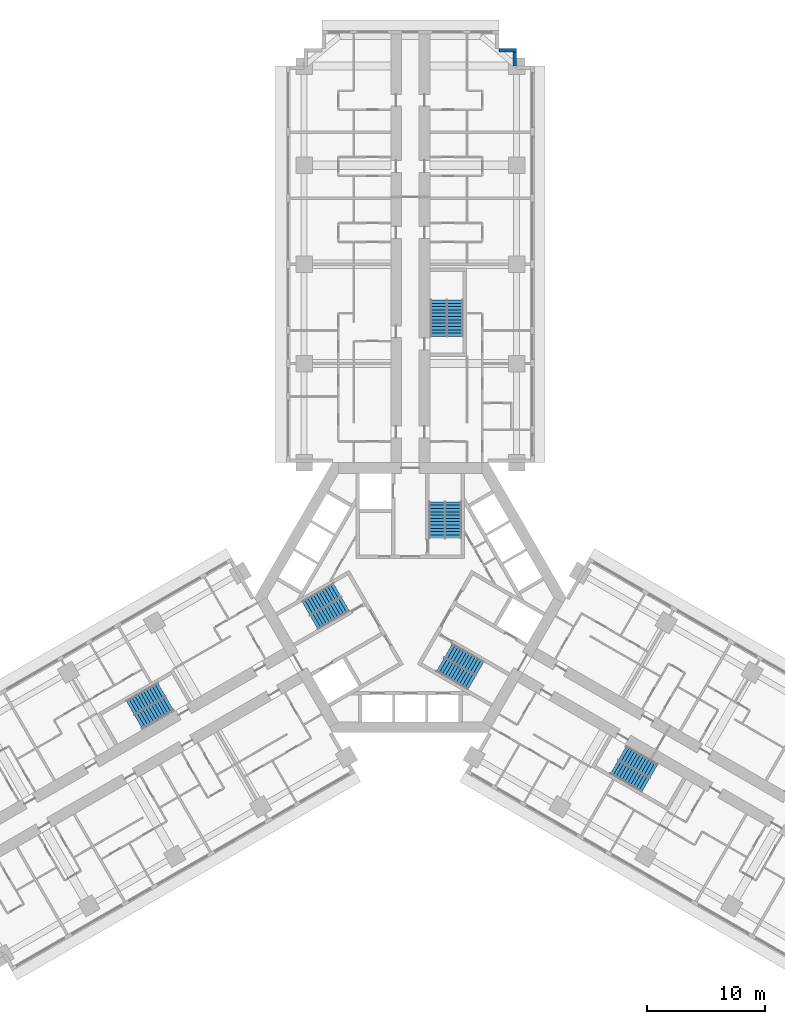
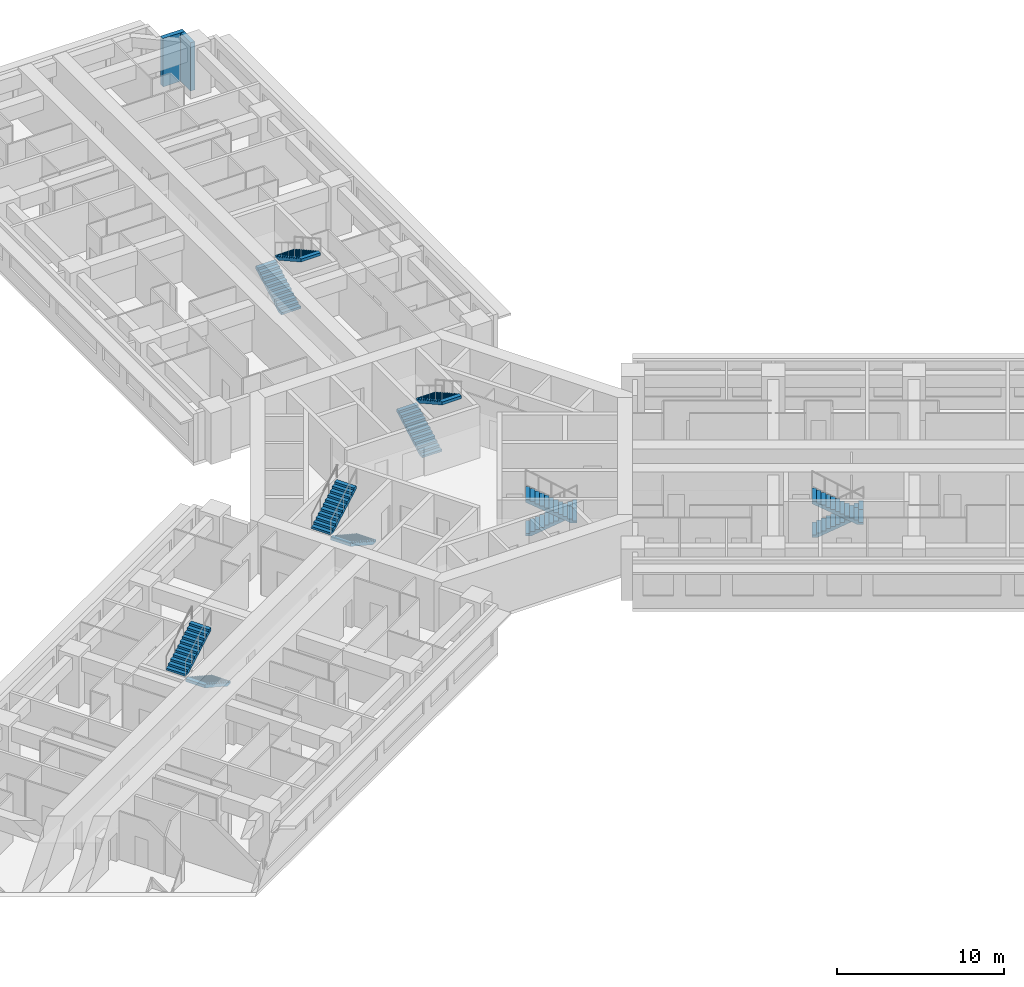
# One storey, part 15 of 16: 12 stair flights, 2 walls, 6 elements without a shape of their own.
"""IFC4 building model written with IfcOpenShell, lengths in metres."""

from ifc_helpers import new_model, si_unit, direction, frame, frame_2d, origin, place, context, subcontext, project, spatial, polyline, rectangle, outline, extrude, material, layer, layer_set, type_object, element, aggregate, save


model = new_model("IFC4")

# Units and contexts
model_context = context("Model", 3, precision=1e-05, world=origin(), true_north=direction((0.0, 1.0)))
body_context = subcontext(model_context, "Body", "Model", "MODEL_VIEW")
ifc_project = project(units=[si_unit("LENGTHUNIT", "METRE"), si_unit("AREAUNIT", "SQUARE_METRE"), si_unit("VOLUMEUNIT", "CUBIC_METRE"), si_unit("PLANEANGLEUNIT", "RADIAN"), si_unit("MASSUNIT", "GRAM", prefix="KILO")], contexts=[model_context])

# Site, building, storey
site_placement = place(None, origin())
site = spatial("IfcSite", under=ifc_project, at=site_placement, CompositionType="ELEMENT")
building_placement = place(site_placement, origin())
building = spatial("IfcBuilding", under=site, at=building_placement, Name="Impinga Residences", CompositionType="ELEMENT")
storey_placement = place(building_placement, frame((0.0, 0.0, 52.25)))
storey = spatial("IfcBuildingStorey", under=building, at=storey_placement, Name="L12", CompositionType="ELEMENT", Elevation=52.25)

# Walls
ifc_material_1 = material(Name="Terracotta rainscreen on blockwork", Category="masonry")
ifc_layer = layer(ifc_material_1, 0.300048828125)
ifc_layer_set = layer_set([ifc_layer], Name="EW1 external wall, terracotta rainscreen on blockwork 300")
wall_type = type_object("IfcWallType", Name="EW1 external wall, terracotta rainscreen on blockwork 300", PredefinedType="SOLIDWALL", material=ifc_layer_set)
wall_1_placement = place(storey_placement, frame((7.5, 46.381591796875, 0.0), z_axis=(0.0, 0.0, 1.0), x_axis=(1.0, 0.0, 0.0)))
element("IfcWall", 1, at=wall_1_placement, inside=storey, type_object=wall_type, Name="External wall EW1 L12", PredefinedType="SOLIDWALL", context=body_context, shape_type="SweptSolid", body=[
    extrude(rectangle(XDim=1.5, YDim=0.300048828125, at=frame_2d((0.75, 0.0))), origin(), (0.0, 0.0, 1.0), 3.530029296875),
])
wall_2_placement = place(storey_placement, frame((8.85009765625, 46.2314453125, 0.0), z_axis=(0.0, 0.0, 1.0), x_axis=(0.0, -1.0, 0.0)))
element("IfcWall", 2, at=wall_2_placement, inside=storey, type_object=wall_type, Name="External wall EW1 L12", PredefinedType="SOLIDWALL", context=body_context, shape_type="SweptSolid", body=[
    extrude(rectangle(XDim=1.199951171875, YDim=0.300048828125, at=frame_2d((0.60009765625, 0.0))), origin(), (0.0, 0.0, 1.0), 3.530029296875),
])

# Stair, stair flights
ifc_material_2 = material(Name="Concrete C40/50", Category="concrete")
stair_type_1 = type_object("IfcStairType", Name="STR core stair 3750 storey, 24 risers", PredefinedType="HALF_TURN_STAIR", material=ifc_material_2)
stair_1_placement = place(storey_placement, origin())
stair_1 = element("IfcStair", 3, at=stair_1_placement, inside=storey, type_object=stair_type_1, Name="Stair ST1 L12", PredefinedType="HALF_TURN_STAIR")
stair_flight_type = type_object("IfcStairFlightType", Name="SF 12 risers of 156", PredefinedType="STRAIGHT", material=ifc_material_2)
stair_flight_1_placement = place(storey_placement, frame((2.27490234375, 5.030029296875, 0.0), z_axis=(0.0, 0.0, 1.0), x_axis=(0.0, 1.0, 0.0)))
stair_flight_1 = element("IfcStairFlight", 4, at=stair_flight_1_placement, type_object=stair_flight_type, Name="ST1 flight 1", NumberOfRisers=12, NumberOfTreads=11, PredefinedType="STRAIGHT", RiserHeight=0.15625, TreadLength=0.28, context=body_context, shape_type="SweptSolid", body=[
    extrude(outline(polyline([(0.0, 0.0), (0.0, 0.15625), (0.280029296875, 0.15625), (0.280029296875, 0.3125), (0.56005859375, 0.3125), (0.56005859375, 0.46875), (0.840087890625, 0.46875), (0.840087890625, 0.625), (1.1201171875, 0.625), (1.1201171875, 0.78125), (1.39990234375, 0.78125), (1.39990234375, 0.9375), (1.679931640625, 0.9375), (1.679931640625, 1.09375), (1.9599609375, 1.09375), (1.9599609375, 1.25), (2.239990234375, 1.25), (2.239990234375, 1.40625), (2.52001953125, 1.40625), (2.52001953125, 1.5625), (2.800048828125, 1.5625), (2.800048828125, 1.71875), (3.080078125, 1.71875), (3.080078125, 1.875), (3.080078125, 1.5126953125), (0.369140625, 0.0), (0.0, 0.0)])), frame((0.0, 0.675048828125, 0.0), z_axis=(0.0, -1.0, 0.0), x_axis=(1.0, 0.0, 0.0)), (0.0, 0.0, 1.0), 1.35009765625),
])
stair_flight_2_placement = place(storey_placement, frame((3.625, 8.110107421875, 1.875), z_axis=(0.0, 0.0, 1.0), x_axis=(0.0, -1.0, 0.0)))
stair_flight_2 = element("IfcStairFlight", 5, at=stair_flight_2_placement, type_object=stair_flight_type, Name="ST1 flight 2", NumberOfRisers=12, NumberOfTreads=11, PredefinedType="STRAIGHT", RiserHeight=0.15625, TreadLength=0.28, context=body_context, shape_type="SweptSolid", body=[
    extrude(outline(polyline([(0.0, 0.0), (0.0, 0.15625), (0.280029296875, 0.15625), (0.280029296875, 0.3125), (0.56005859375, 0.3125), (0.56005859375, 0.46875), (0.840087890625, 0.46875), (0.840087890625, 0.625), (1.1201171875, 0.625), (1.1201171875, 0.78125), (1.39990234375, 0.78125), (1.39990234375, 0.9375), (1.679931640625, 0.9375), (1.679931640625, 1.09375), (1.9599609375, 1.09375), (1.9599609375, 1.25), (2.239990234375, 1.25), (2.239990234375, 1.40625), (2.52001953125, 1.40625), (2.52001953125, 1.5625), (2.800048828125, 1.5625), (2.800048828125, 1.71875), (3.080078125, 1.71875), (3.080078125, 1.875), (3.080078125, 1.5126953125), (0.369140625, 0.0), (0.0, 0.0)])), frame((0.0, 0.675048828125, 0.0), z_axis=(0.0, -1.0, 0.0), x_axis=(1.0, 0.0, 0.0)), (0.0, 0.0, 1.0), 1.35009765625),
])
aggregate(stair_1, [stair_flight_1, stair_flight_2])

stair_2_placement = place(storey_placement, origin())
stair_2 = element("IfcStair", 6, at=stair_2_placement, inside=storey, type_object=stair_type_1, Name="Stair ST2 L12", PredefinedType="HALF_TURN_STAIR")
stair_flight_3_placement = place(storey_placement, frame((-5.49365234375, -0.544677734375, 0.0), z_axis=(0.0, 0.0, 1.0), x_axis=(-0.866025403784, -0.5, 0.0)))
stair_flight_3 = element("IfcStairFlight", 7, at=stair_flight_3_placement, type_object=stair_flight_type, Name="ST2 flight 1", NumberOfRisers=12, NumberOfTreads=11, PredefinedType="STRAIGHT", RiserHeight=0.15625, TreadLength=0.28, context=body_context, shape_type="SweptSolid", body=[
    extrude(outline(polyline([(0.0, 0.0), (0.0, 0.15625), (0.280029296875, 0.15625), (0.280029296875, 0.3125), (0.56005859375, 0.3125), (0.56005859375, 0.46875), (0.840087890625, 0.46875), (0.840087890625, 0.625), (1.1201171875, 0.625), (1.1201171875, 0.78125), (1.39990234375, 0.78125), (1.39990234375, 0.9375), (1.679931640625, 0.9375), (1.679931640625, 1.09375), (1.9599609375, 1.09375), (1.9599609375, 1.25), (2.239990234375, 1.25), (2.239990234375, 1.40625), (2.52001953125, 1.40625), (2.52001953125, 1.5625), (2.800048828125, 1.5625), (2.800048828125, 1.71875), (3.080078125, 1.71875), (3.080078125, 1.875), (3.080078125, 1.5126953125), (0.369140625, 0.0), (0.0, 0.0)])), frame((0.0, 0.675048828125, 0.0), z_axis=(0.0, -1.0, 0.0), x_axis=(1.0, 0.0, 0.0)), (0.0, 0.0, 1.0), 1.35009765625),
])
stair_flight_4_placement = place(storey_placement, frame((-8.8359375, -0.915771484375, 1.875), z_axis=(0.0, 0.0, 1.0), x_axis=(0.866025403784, 0.5, 0.0)))
stair_flight_4 = element("IfcStairFlight", 8, at=stair_flight_4_placement, type_object=stair_flight_type, Name="ST2 flight 2", NumberOfRisers=12, NumberOfTreads=11, PredefinedType="STRAIGHT", RiserHeight=0.15625, TreadLength=0.28, context=body_context, shape_type="SweptSolid", body=[
    extrude(outline(polyline([(0.0, 0.0), (0.0, 0.15625), (0.280029296875, 0.15625), (0.280029296875, 0.3125), (0.56005859375, 0.3125), (0.56005859375, 0.46875), (0.840087890625, 0.46875), (0.840087890625, 0.625), (1.1201171875, 0.625), (1.1201171875, 0.78125), (1.39990234375, 0.78125), (1.39990234375, 0.9375), (1.679931640625, 0.9375), (1.679931640625, 1.09375), (1.9599609375, 1.09375), (1.9599609375, 1.25), (2.239990234375, 1.25), (2.239990234375, 1.40625), (2.52001953125, 1.40625), (2.52001953125, 1.5625), (2.800048828125, 1.5625), (2.800048828125, 1.71875), (3.080078125, 1.71875), (3.080078125, 1.875), (3.080078125, 1.5126953125), (0.369140625, 0.0), (0.0, 0.0)])), frame((0.0, 0.675048828125, 0.0), z_axis=(0.0, -1.0, 0.0), x_axis=(1.0, 0.0, 0.0)), (0.0, 0.0, 1.0), 1.35009765625),
])
aggregate(stair_2, [stair_flight_3, stair_flight_4])

stair_3_placement = place(storey_placement, origin())
stair_3 = element("IfcStair", 9, at=stair_3_placement, inside=storey, type_object=stair_type_1, Name="Stair ST3 L12", PredefinedType="HALF_TURN_STAIR")
stair_flight_5_placement = place(storey_placement, frame((3.218505859375, -4.485107421875, 0.0), z_axis=(0.0, 0.0, 1.0), x_axis=(0.866025403784, -0.5, 0.0)))
stair_flight_5 = element("IfcStairFlight", 10, at=stair_flight_5_placement, type_object=stair_flight_type, Name="ST3 flight 1", NumberOfRisers=12, NumberOfTreads=11, PredefinedType="STRAIGHT", RiserHeight=0.15625, TreadLength=0.28, context=body_context, shape_type="SweptSolid", body=[
    extrude(outline(polyline([(0.0, 0.0), (0.0, 0.15625), (0.280029296875, 0.15625), (0.280029296875, 0.3125), (0.56005859375, 0.3125), (0.56005859375, 0.46875), (0.840087890625, 0.46875), (0.840087890625, 0.625), (1.1201171875, 0.625), (1.1201171875, 0.78125), (1.39990234375, 0.78125), (1.39990234375, 0.9375), (1.679931640625, 0.9375), (1.679931640625, 1.09375), (1.9599609375, 1.09375), (1.9599609375, 1.25), (2.239990234375, 1.25), (2.239990234375, 1.40625), (2.52001953125, 1.40625), (2.52001953125, 1.5625), (2.800048828125, 1.5625), (2.800048828125, 1.71875), (3.080078125, 1.71875), (3.080078125, 1.875), (3.080078125, 1.5126953125), (0.369140625, 0.0), (0.0, 0.0)])), frame((0.0, 0.675048828125, 0.0), z_axis=(0.0, -1.0, 0.0), x_axis=(1.0, 0.0, 0.0)), (0.0, 0.0, 1.0), 1.35009765625),
])
stair_flight_6_placement = place(storey_placement, frame((5.2109375, -7.1943359375, 1.875), z_axis=(0.0, 0.0, 1.0), x_axis=(-0.866025403784, 0.5, 0.0)))
stair_flight_6 = element("IfcStairFlight", 11, at=stair_flight_6_placement, type_object=stair_flight_type, Name="ST3 flight 2", NumberOfRisers=12, NumberOfTreads=11, PredefinedType="STRAIGHT", RiserHeight=0.15625, TreadLength=0.28, context=body_context, shape_type="SweptSolid", body=[
    extrude(outline(polyline([(0.0, 0.0), (0.0, 0.15625), (0.280029296875, 0.15625), (0.280029296875, 0.3125), (0.56005859375, 0.3125), (0.56005859375, 0.46875), (0.840087890625, 0.46875), (0.840087890625, 0.625), (1.1201171875, 0.625), (1.1201171875, 0.78125), (1.39990234375, 0.78125), (1.39990234375, 0.9375), (1.679931640625, 0.9375), (1.679931640625, 1.09375), (1.9599609375, 1.09375), (1.9599609375, 1.25), (2.239990234375, 1.25), (2.239990234375, 1.40625), (2.52001953125, 1.40625), (2.52001953125, 1.5625), (2.800048828125, 1.5625), (2.800048828125, 1.71875), (3.080078125, 1.71875), (3.080078125, 1.875), (3.080078125, 1.5126953125), (0.369140625, 0.0), (0.0, 0.0)])), frame((0.0, 0.675048828125, 0.0), z_axis=(0.0, -1.0, 0.0), x_axis=(1.0, 0.0, 0.0)), (0.0, 0.0, 1.0), 1.35009765625),
])
aggregate(stair_3, [stair_flight_5, stair_flight_6])

stair_type_2 = type_object("IfcStairType", Name="STR wing stair 3750 storey, 24 risers", PredefinedType="HALF_TURN_STAIR", material=ifc_material_2)
stair_4_placement = place(storey_placement, origin())
stair_4 = element("IfcStair", 12, at=stair_4_placement, inside=storey, type_object=stair_type_2, Name="Stair WS1 L12", PredefinedType="HALF_TURN_STAIR")
stair_flight_7_placement = place(storey_placement, frame((2.425048828125, 22.131591796875, 0.0), z_axis=(0.0, 0.0, 1.0), x_axis=(0.0, 1.0, 0.0)))
stair_flight_7 = element("IfcStairFlight", 13, at=stair_flight_7_placement, type_object=stair_flight_type, Name="WS1 flight 1", NumberOfRisers=12, NumberOfTreads=11, PredefinedType="STRAIGHT", RiserHeight=0.15625, TreadLength=0.28, context=body_context, shape_type="SweptSolid", body=[
    extrude(outline(polyline([(0.0, 0.0), (0.0, 0.15625), (0.280029296875, 0.15625), (0.280029296875, 0.3125), (0.56005859375, 0.3125), (0.56005859375, 0.46875), (0.840087890625, 0.46875), (0.840087890625, 0.625), (1.1201171875, 0.625), (1.1201171875, 0.78125), (1.39990234375, 0.78125), (1.39990234375, 0.9375), (1.679931640625, 0.9375), (1.679931640625, 1.09375), (1.9599609375, 1.09375), (1.9599609375, 1.25), (2.239990234375, 1.25), (2.239990234375, 1.40625), (2.52001953125, 1.40625), (2.52001953125, 1.5625), (2.800048828125, 1.5625), (2.800048828125, 1.71875), (3.080078125, 1.71875), (3.080078125, 1.875), (3.080078125, 1.5126953125), (0.369140625, 0.0), (0.0, 0.0)])), frame((0.0, 0.675048828125, 0.0), z_axis=(0.0, -1.0, 0.0), x_axis=(1.0, 0.0, 0.0)), (0.0, 0.0, 1.0), 1.35009765625),
])
stair_flight_8_placement = place(storey_placement, frame((3.77490234375, 25.21142578125, 1.875), z_axis=(0.0, 0.0, 1.0), x_axis=(0.0, -1.0, 0.0)))
stair_flight_8 = element("IfcStairFlight", 14, at=stair_flight_8_placement, type_object=stair_flight_type, Name="WS1 flight 2", NumberOfRisers=12, NumberOfTreads=11, PredefinedType="STRAIGHT", RiserHeight=0.15625, TreadLength=0.28, context=body_context, shape_type="SweptSolid", body=[
    extrude(outline(polyline([(0.0, 0.0), (0.0, 0.15625), (0.280029296875, 0.15625), (0.280029296875, 0.3125), (0.56005859375, 0.3125), (0.56005859375, 0.46875), (0.840087890625, 0.46875), (0.840087890625, 0.625), (1.1201171875, 0.625), (1.1201171875, 0.78125), (1.39990234375, 0.78125), (1.39990234375, 0.9375), (1.679931640625, 0.9375), (1.679931640625, 1.09375), (1.9599609375, 1.09375), (1.9599609375, 1.25), (2.239990234375, 1.25), (2.239990234375, 1.40625), (2.52001953125, 1.40625), (2.52001953125, 1.5625), (2.800048828125, 1.5625), (2.800048828125, 1.71875), (3.080078125, 1.71875), (3.080078125, 1.875), (3.080078125, 1.5126953125), (0.369140625, 0.0), (0.0, 0.0)])), frame((0.0, 0.675048828125, 0.0), z_axis=(0.0, -1.0, 0.0), x_axis=(1.0, 0.0, 0.0)), (0.0, 0.0, 1.0), 1.35009765625),
])
aggregate(stair_4, [stair_flight_7, stair_flight_8])

stair_5_placement = place(storey_placement, origin())
stair_5 = element("IfcStair", 15, at=stair_5_placement, inside=storey, type_object=stair_type_2, Name="Stair WS2 L12", PredefinedType="HALF_TURN_STAIR")
stair_flight_9_placement = place(storey_placement, frame((-20.37890625, -8.965576171875, 0.0), z_axis=(0.0, 0.0, 1.0), x_axis=(-0.866025403784, -0.5, 0.0)))
stair_flight_9 = element("IfcStairFlight", 16, at=stair_flight_9_placement, type_object=stair_flight_type, Name="WS2 flight 1", NumberOfRisers=12, NumberOfTreads=11, PredefinedType="STRAIGHT", RiserHeight=0.15625, TreadLength=0.28, context=body_context, shape_type="SweptSolid", body=[
    extrude(outline(polyline([(0.0, 0.0), (0.0, 0.15625), (0.280029296875, 0.15625), (0.280029296875, 0.3125), (0.56005859375, 0.3125), (0.56005859375, 0.46875), (0.840087890625, 0.46875), (0.840087890625, 0.625), (1.1201171875, 0.625), (1.1201171875, 0.78125), (1.39990234375, 0.78125), (1.39990234375, 0.9375), (1.679931640625, 0.9375), (1.679931640625, 1.09375), (1.9599609375, 1.09375), (1.9599609375, 1.25), (2.239990234375, 1.25), (2.239990234375, 1.40625), (2.52001953125, 1.40625), (2.52001953125, 1.5625), (2.800048828125, 1.5625), (2.800048828125, 1.71875), (3.080078125, 1.71875), (3.080078125, 1.875), (3.080078125, 1.5126953125), (0.369140625, 0.0), (0.0, 0.0)])), frame((0.0, 0.675048828125, 0.0), z_axis=(0.0, -1.0, 0.0), x_axis=(1.0, 0.0, 0.0)), (0.0, 0.0, 1.0), 1.35009765625),
])
stair_flight_10_placement = place(storey_placement, frame((-23.721435546875, -9.33642578125, 1.875), z_axis=(0.0, 0.0, 1.0), x_axis=(0.866025403784, 0.5, 0.0)))
stair_flight_10 = element("IfcStairFlight", 17, at=stair_flight_10_placement, type_object=stair_flight_type, Name="WS2 flight 2", NumberOfRisers=12, NumberOfTreads=11, PredefinedType="STRAIGHT", RiserHeight=0.15625, TreadLength=0.28, context=body_context, shape_type="SweptSolid", body=[
    extrude(outline(polyline([(0.0, 0.0), (0.0, 0.15625), (0.280029296875, 0.15625), (0.280029296875, 0.3125), (0.56005859375, 0.3125), (0.56005859375, 0.46875), (0.840087890625, 0.46875), (0.840087890625, 0.625), (1.1201171875, 0.625), (1.1201171875, 0.78125), (1.39990234375, 0.78125), (1.39990234375, 0.9375), (1.679931640625, 0.9375), (1.679931640625, 1.09375), (1.9599609375, 1.09375), (1.9599609375, 1.25), (2.239990234375, 1.25), (2.239990234375, 1.40625), (2.52001953125, 1.40625), (2.52001953125, 1.5625), (2.800048828125, 1.5625), (2.800048828125, 1.71875), (3.080078125, 1.71875), (3.080078125, 1.875), (3.080078125, 1.5126953125), (0.369140625, 0.0), (0.0, 0.0)])), frame((0.0, 0.675048828125, 0.0), z_axis=(0.0, -1.0, 0.0), x_axis=(1.0, 0.0, 0.0)), (0.0, 0.0, 1.0), 1.35009765625),
])
aggregate(stair_5, [stair_flight_9, stair_flight_10])

stair_6_placement = place(storey_placement, origin())
stair_6 = element("IfcStair", 18, at=stair_6_placement, inside=storey, type_object=stair_type_2, Name="Stair WS3 L12", PredefinedType="HALF_TURN_STAIR")
stair_flight_11_placement = place(storey_placement, frame((17.953857421875, -13.165771484375, 0.0), z_axis=(0.0, 0.0, 1.0), x_axis=(0.866025403784, -0.5, 0.0)))
stair_flight_11 = element("IfcStairFlight", 19, at=stair_flight_11_placement, type_object=stair_flight_type, Name="WS3 flight 1", NumberOfRisers=12, NumberOfTreads=11, PredefinedType="STRAIGHT", RiserHeight=0.15625, TreadLength=0.28, context=body_context, shape_type="SweptSolid", body=[
    extrude(outline(polyline([(0.0, 0.0), (0.0, 0.15625), (0.280029296875, 0.15625), (0.280029296875, 0.3125), (0.56005859375, 0.3125), (0.56005859375, 0.46875), (0.840087890625, 0.46875), (0.840087890625, 0.625), (1.1201171875, 0.625), (1.1201171875, 0.78125), (1.39990234375, 0.78125), (1.39990234375, 0.9375), (1.679931640625, 0.9375), (1.679931640625, 1.09375), (1.9599609375, 1.09375), (1.9599609375, 1.25), (2.239990234375, 1.25), (2.239990234375, 1.40625), (2.52001953125, 1.40625), (2.52001953125, 1.5625), (2.800048828125, 1.5625), (2.800048828125, 1.71875), (3.080078125, 1.71875), (3.080078125, 1.875), (3.080078125, 1.5126953125), (0.369140625, 0.0), (0.0, 0.0)])), frame((0.0, 0.675048828125, 0.0), z_axis=(0.0, -1.0, 0.0), x_axis=(1.0, 0.0, 0.0)), (0.0, 0.0, 1.0), 1.35009765625),
])
stair_flight_12_placement = place(storey_placement, frame((19.9462890625, -15.875, 1.875), z_axis=(0.0, 0.0, 1.0), x_axis=(-0.866025403784, 0.5, 0.0)))
stair_flight_12 = element("IfcStairFlight", 20, at=stair_flight_12_placement, type_object=stair_flight_type, Name="WS3 flight 2", NumberOfRisers=12, NumberOfTreads=11, PredefinedType="STRAIGHT", RiserHeight=0.15625, TreadLength=0.28, context=body_context, shape_type="SweptSolid", body=[
    extrude(outline(polyline([(0.0, 0.0), (0.0, 0.15625), (0.280029296875, 0.15625), (0.280029296875, 0.3125), (0.56005859375, 0.3125), (0.56005859375, 0.46875), (0.840087890625, 0.46875), (0.840087890625, 0.625), (1.1201171875, 0.625), (1.1201171875, 0.78125), (1.39990234375, 0.78125), (1.39990234375, 0.9375), (1.679931640625, 0.9375), (1.679931640625, 1.09375), (1.9599609375, 1.09375), (1.9599609375, 1.25), (2.239990234375, 1.25), (2.239990234375, 1.40625), (2.52001953125, 1.40625), (2.52001953125, 1.5625), (2.800048828125, 1.5625), (2.800048828125, 1.71875), (3.080078125, 1.71875), (3.080078125, 1.875), (3.080078125, 1.5126953125), (0.369140625, 0.0), (0.0, 0.0)])), frame((0.0, 0.675048828125, 0.0), z_axis=(0.0, -1.0, 0.0), x_axis=(1.0, 0.0, 0.0)), (0.0, 0.0, 1.0), 1.35009765625),
])
aggregate(stair_6, [stair_flight_11, stair_flight_12])

save(model, "model.ifc")
